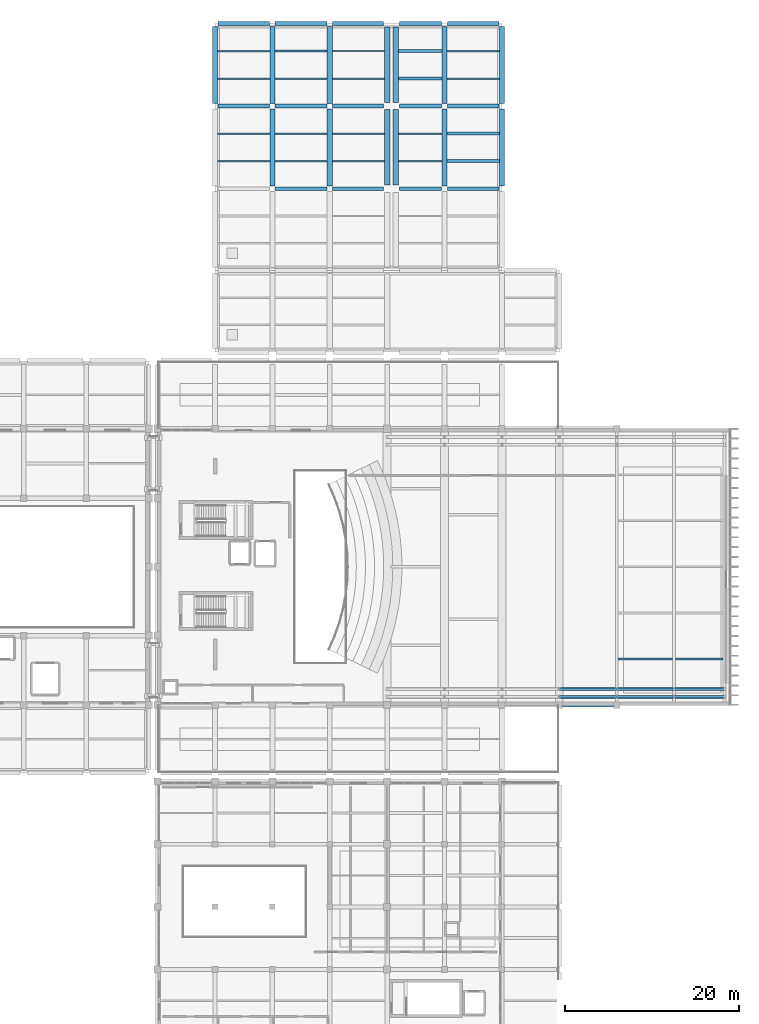
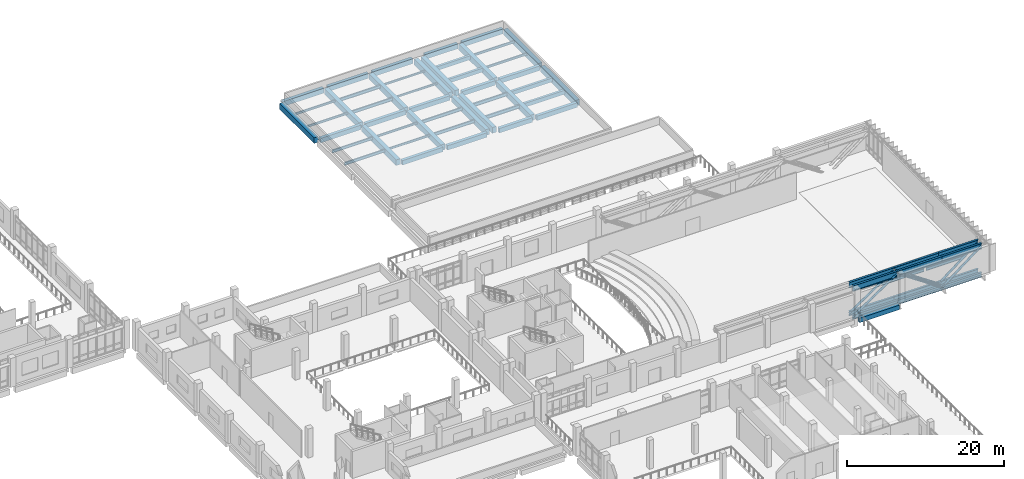
# One storey, part 22 of 54: 50 beams, 18 members.
"""IFC4 building model written with IfcOpenShell, lengths in metres."""

from ifc_helpers import new_model, si_unit, direction, frame, origin, origin_2d, place, context, subcontext, project, spatial, rectangle, hollow_circle, i_section, extrude, material, material_profile, profile_set, type_object, element, save


model = new_model("IFC4")

# Units and contexts
model_context = context("Model", 3, precision=1e-05, world=origin(), true_north=direction((0.0, 1.0)))
body_context = subcontext(model_context, "Body", "Model", "MODEL_VIEW")
ifc_project = project(units=[si_unit("LENGTHUNIT", "METRE"), si_unit("AREAUNIT", "SQUARE_METRE"), si_unit("VOLUMEUNIT", "CUBIC_METRE"), si_unit("PLANEANGLEUNIT", "RADIAN"), si_unit("MASSUNIT", "GRAM", prefix="KILO")], contexts=[model_context])

# Site, building, storey
site_placement = place(None, origin())
site = spatial("IfcSite", under=ifc_project, at=site_placement, CompositionType="ELEMENT")
building_placement = place(site_placement, origin())
building = spatial("IfcBuilding", under=site, at=building_placement, Name="Kelarvand Opera House", CompositionType="ELEMENT")
storey_placement = place(building_placement, frame((0.0, 0.0, 15.0)))
storey = spatial("IfcBuildingStorey", under=building, at=storey_placement, Name="L03", CompositionType="ELEMENT", Elevation=15.0)

# Beams
ifc_material_1 = material(Name="Concrete C35/45", Category="concrete")
ifc_material_profile_1 = material_profile(ifc_material_1, rectangle(XDim=0.35009765625, YDim=0.60009765625, at=origin_2d()), Name="RC 350x600", Category="concrete")
ifc_profile_set_1 = profile_set([ifc_material_profile_1], Name="Concrete C35/45")
beam_type_1 = type_object("IfcBeamType", Name="Structural Beam RC 350x600 BM-RC350x600", PredefinedType="BEAM", material=ifc_profile_set_1)
for number, where, z_axis, x_axis, name in (
    (1, (116.699951171875, 118.666748046875, -0.52001953125), (1.0, 0.0, 0.0), (0.0, 1.0, 0.0), "V5 L03 Beam BM-RC350x600"),
    (2, (116.699951171875, 121.833251953125, -0.52001953125), (1.0, 0.0, 0.0), (0.0, 1.0, 0.0), "V5 L03 Beam BM-RC350x600"),
):
    element("IfcBeam", number, at=place(storey_placement, frame(where, z_axis=z_axis, x_axis=x_axis)), inside=storey, type_object=beam_type_1, Name=name, PredefinedType="BEAM", context=body_context, shape_type="SweptSolid", body=[
        extrude(rectangle(XDim=0.35009765625, YDim=0.60009765625, at=origin_2d()), origin(), (0.0, 0.0, 1.0), 5.0),
    ])
for number, where, z_axis, x_axis, name in (
    (3, (122.300048828125, 109.166748046875, -0.52001953125), (1.0, 0.0, 0.0), (0.0, 1.0, 0.0), "V5 L03 Beam BM-RC350x600"),
    (4, (122.300048828125, 112.333251953125, -0.52001953125), (1.0, 0.0, 0.0), (0.0, 1.0, 0.0), "V5 L03 Beam BM-RC350x600"),
):
    element("IfcBeam", number, at=place(storey_placement, frame(where, z_axis=z_axis, x_axis=x_axis)), inside=storey, type_object=beam_type_1, Name=name, PredefinedType="BEAM", context=body_context, shape_type="SweptSolid", body=[
        extrude(rectangle(XDim=0.35009765625, YDim=0.60009765625, at=origin_2d()), origin(), (0.0, 0.0, 1.0), 6.0),
    ])
ifc_material_2 = material(Name="Concrete C40/50", Category="concrete")
ifc_material_profile_2 = material_profile(ifc_material_2, rectangle(XDim=0.449951171875, YDim=0.699951171875, at=origin_2d()), Name="RC 450x700", Category="concrete")
ifc_profile_set_2 = profile_set([ifc_material_profile_2], Name="Concrete C40/50")
beam_type_2 = type_object("IfcBeamType", Name="Structural Beam RC 450x700 BM-RC450x700", PredefinedType="BEAM", material=ifc_profile_set_2)
beam_1_placement = place(storey_placement, frame((135.574951171875, 46.60009765625, -0.669921875), z_axis=(1.0, 0.0, 0.0), x_axis=(0.0, 1.0, 0.0)))
element("IfcBeam", 5, at=beam_1_placement, inside=storey, type_object=beam_type_2, Name="V1 L03 Beam BM-RC450x700", PredefinedType="BEAM", context=body_context, shape_type="SweptSolid", body=[
    extrude(rectangle(XDim=0.449951171875, YDim=0.699951171875, at=origin_2d()), origin(), (0.0, 0.0, 1.0), 5.85009765625),
])
beam_2_placement = place(storey_placement, frame((102.52490234375, 106.0, -0.570068359375), z_axis=(1.0, 0.0, 0.0), x_axis=(0.0, 1.0, 0.0)))
element("IfcBeam", 6, at=beam_2_placement, inside=storey, type_object=beam_type_2, Name="V5 L03 Beam BM-RC450x700", PredefinedType="BEAM", context=body_context, shape_type="SweptSolid", body=[
    extrude(rectangle(XDim=0.449951171875, YDim=0.699951171875, at=origin_2d()), origin(), (0.0, 0.0, 1.0), 5.9501953125),
])
beam_3_placement = place(storey_placement, frame((109.125, 106.0, -0.570068359375), z_axis=(1.0, 0.0, 0.0), x_axis=(0.0, 1.0, 0.0)))
element("IfcBeam", 7, at=beam_3_placement, inside=storey, type_object=beam_type_2, Name="V5 L03 Beam BM-RC450x700", PredefinedType="BEAM", context=body_context, shape_type="SweptSolid", body=[
    extrude(rectangle(XDim=0.449951171875, YDim=0.699951171875, at=origin_2d()), origin(), (0.0, 0.0, 1.0), 5.864990234375),
])
beam_4_placement = place(storey_placement, frame((116.81005859375, 106.0, -0.570068359375), z_axis=(1.0, 0.0, 0.0), x_axis=(0.0, 1.0, 0.0)))
element("IfcBeam", 8, at=beam_4_placement, inside=storey, type_object=beam_type_2, Name="V5 L03 Beam BM-RC450x700", PredefinedType="BEAM", context=body_context, shape_type="SweptSolid", body=[
    extrude(rectangle(XDim=0.449951171875, YDim=0.699951171875, at=origin_2d()), origin(), (0.0, 0.0, 1.0), 4.864990234375),
])
for number, where, z_axis, x_axis, name in (
    (9, (122.324951171875, 106.0, -0.570068359375), (1.0, 0.0, 0.0), (0.0, 1.0, 0.0), "V5 L03 Beam BM-RC450x700"),
    (10, (95.925048828125, 115.5, -0.570068359375), (1.0, 0.0, 0.0), (0.0, 1.0, 0.0), "V5 L03 Beam BM-RC450x700"),
):
    element("IfcBeam", number, at=place(storey_placement, frame(where, z_axis=z_axis, x_axis=x_axis)), inside=storey, type_object=beam_type_2, Name=name, PredefinedType="BEAM", context=body_context, shape_type="SweptSolid", body=[
        extrude(rectangle(XDim=0.449951171875, YDim=0.699951171875, at=origin_2d()), origin(), (0.0, 0.0, 1.0), 5.949951171875),
    ])
beam_5_placement = place(storey_placement, frame((102.52490234375, 115.5, -0.570068359375), z_axis=(1.0, 0.0, 0.0), x_axis=(0.0, 1.0, 0.0)))
element("IfcBeam", 11, at=beam_5_placement, inside=storey, type_object=beam_type_2, Name="V5 L03 Beam BM-RC450x700", PredefinedType="BEAM", context=body_context, shape_type="SweptSolid", body=[
    extrude(rectangle(XDim=0.449951171875, YDim=0.699951171875, at=origin_2d()), origin(), (0.0, 0.0, 1.0), 5.9501953125),
])
beam_6_placement = place(storey_placement, frame((109.125, 115.5, -0.570068359375), z_axis=(1.0, 0.0, 0.0), x_axis=(0.0, 1.0, 0.0)))
element("IfcBeam", 12, at=beam_6_placement, inside=storey, type_object=beam_type_2, Name="V5 L03 Beam BM-RC450x700", PredefinedType="BEAM", context=body_context, shape_type="SweptSolid", body=[
    extrude(rectangle(XDim=0.449951171875, YDim=0.699951171875, at=origin_2d()), origin(), (0.0, 0.0, 1.0), 5.864990234375),
])
beam_7_placement = place(storey_placement, frame((116.81005859375, 115.5, -0.570068359375), z_axis=(1.0, 0.0, 0.0), x_axis=(0.0, 1.0, 0.0)))
element("IfcBeam", 13, at=beam_7_placement, inside=storey, type_object=beam_type_2, Name="V5 L03 Beam BM-RC450x700", PredefinedType="BEAM", context=body_context, shape_type="SweptSolid", body=[
    extrude(rectangle(XDim=0.449951171875, YDim=0.699951171875, at=origin_2d()), origin(), (0.0, 0.0, 1.0), 4.864990234375),
])
beam_8_placement = place(storey_placement, frame((122.324951171875, 115.5, -0.570068359375), z_axis=(1.0, 0.0, 0.0), x_axis=(0.0, 1.0, 0.0)))
element("IfcBeam", 14, at=beam_8_placement, inside=storey, type_object=beam_type_2, Name="V5 L03 Beam BM-RC450x700", PredefinedType="BEAM", context=body_context, shape_type="SweptSolid", body=[
    extrude(rectangle(XDim=0.449951171875, YDim=0.699951171875, at=origin_2d()), origin(), (0.0, 0.0, 1.0), 5.949951171875),
])
ifc_material_profile_3 = material_profile(ifc_material_2, rectangle(XDim=0.60009765625, YDim=0.89990234375, at=origin_2d()), Name="RC 600x900", Category="concrete")
ifc_profile_set_3 = profile_set([ifc_material_profile_3], Name="Concrete C40/50")
beam_type_3 = type_object("IfcBeamType", Name="Structural Beam RC 600x900 BM-RC600x900", PredefinedType="BEAM", material=ifc_profile_set_3)
for number, where, z_axis, x_axis, name in (
    (15, (102.199951171875, 106.324951171875, -0.669921875), (0.0, 1.0, 0.0), (-1.0, 0.0, 0.0), "V5 L03 Beam BM-RC600x900"),
    (16, (102.199951171875, 115.824951171875, -0.669921875), (0.0, 1.0, 0.0), (-1.0, 0.0, 0.0), "V5 L03 Beam BM-RC600x900"),
    (17, (108.800048828125, 106.324951171875, -0.669921875), (0.0, 1.0, 0.0), (-1.0, 0.0, 0.0), "V5 L03 Beam BM-RC600x900"),
    (18, (108.800048828125, 115.824951171875, -0.669921875), (0.0, 1.0, 0.0), (-1.0, 0.0, 0.0), "V5 L03 Beam BM-RC600x900"),
):
    element("IfcBeam", number, at=place(storey_placement, frame(where, z_axis=z_axis, x_axis=x_axis)), inside=storey, type_object=beam_type_3, Name=name, PredefinedType="BEAM", context=body_context, shape_type="SweptSolid", body=[
        extrude(rectangle(XDim=0.60009765625, YDim=0.89990234375, at=origin_2d()), origin(), (0.0, 0.0, 1.0), 8.85009765625),
    ])
for number, where, z_axis, x_axis, name in (
    (19, (115.39990234375, 106.409912109375, -0.669921875), (0.0, 1.0, 0.0), (-1.0, 0.0, 0.0), "V5 L03 Beam BM-RC600x900"),
    (20, (115.39990234375, 115.909912109375, -0.669921875), (0.0, 1.0, 0.0), (-1.0, 0.0, 0.0), "V5 L03 Beam BM-RC600x900"),
    (21, (116.39990234375, 106.409912109375, -0.669921875), (0.0, 1.0, 0.0), (-1.0, 0.0, 0.0), "V5 L03 Beam BM-RC600x900"),
    (22, (116.39990234375, 115.909912109375, -0.669921875), (0.0, 1.0, 0.0), (-1.0, 0.0, 0.0), "V5 L03 Beam BM-RC600x900"),
):
    element("IfcBeam", number, at=place(storey_placement, frame(where, z_axis=z_axis, x_axis=x_axis)), inside=storey, type_object=beam_type_3, Name=name, PredefinedType="BEAM", context=body_context, shape_type="SweptSolid", body=[
        extrude(rectangle(XDim=0.60009765625, YDim=0.89990234375, at=origin_2d()), origin(), (0.0, 0.0, 1.0), 8.68017578125),
    ])
for number, where, z_axis, x_axis, name in (
    (23, (122.0, 106.324951171875, -0.669921875), (0.0, 1.0, 0.0), (-1.0, 0.0, 0.0), "V5 L03 Beam BM-RC600x900"),
    (24, (122.0, 115.824951171875, -0.669921875), (0.0, 1.0, 0.0), (-1.0, 0.0, 0.0), "V5 L03 Beam BM-RC600x900"),
    (25, (128.60009765625, 106.324951171875, -0.669921875), (0.0, 1.0, 0.0), (-1.0, 0.0, 0.0), "V5 L03 Beam BM-RC600x900"),
    (26, (128.60009765625, 115.824951171875, -0.669921875), (0.0, 1.0, 0.0), (-1.0, 0.0, 0.0), "V5 L03 Beam BM-RC600x900"),
):
    element("IfcBeam", number, at=place(storey_placement, frame(where, z_axis=z_axis, x_axis=x_axis)), inside=storey, type_object=beam_type_3, Name=name, PredefinedType="BEAM", context=body_context, shape_type="SweptSolid", body=[
        extrude(rectangle(XDim=0.60009765625, YDim=0.89990234375, at=origin_2d()), origin(), (0.0, 0.0, 1.0), 8.85009765625),
    ])

# Members
ifc_material_3 = material(Name="Steel S355", Category="steel")
ifc_material_profile_4 = material_profile(ifc_material_3, hollow_circle(Radius=0.161865234375, WallThickness=0.01611328125, at=origin_2d()), Name="CHS 323.9x16.0", Category="steel")
ifc_profile_set_4 = profile_set([ifc_material_profile_4], Name="Steel S355")
member_type_1 = type_object("IfcMemberType", Name="Structural Brace CHS 323.9x16.0 BR-CHS324", PredefinedType="BRACE", material=ifc_profile_set_4)
member_1_placement = place(storey_placement, frame((135.199951171875, 47.550048828125, -0.669921875), z_axis=(0.829729346585, 0.0, 0.558165935377), x_axis=(0.0, 1.0, 0.0)))
element("IfcMember", 27, at=member_1_placement, inside=storey, type_object=member_type_1, Name="Cantilever Truss CT1 Upper Diagonal 4", PredefinedType="BRACE", context=body_context, shape_type="SweptSolid", body=[
    extrude(hollow_circle(Radius=0.161865234375, WallThickness=0.01611328125, at=origin_2d()), origin(), (0.0, 0.0, 1.0), 7.95458984375),
])
member_2_placement = place(storey_placement, frame((141.800048828125, 47.550048828125, 3.77001953125), z_axis=(0.82971978413, 0.0, -0.558180149972), x_axis=(0.0, 1.0, 0.0)))
element("IfcMember", 28, at=member_2_placement, inside=storey, type_object=member_type_1, Name="Cantilever Truss CT1 Upper Diagonal 5", PredefinedType="BRACE", context=body_context, shape_type="SweptSolid", body=[
    extrude(hollow_circle(Radius=0.161865234375, WallThickness=0.01611328125, at=origin_2d()), origin(), (0.0, 0.0, 1.0), 7.954345703125),
])
member_3_placement = place(storey_placement, frame((148.39990234375, 47.550048828125, -0.669921875), z_axis=(0.79405319556, 0.0, 0.607848272697), x_axis=(0.0, 1.0, 0.0)))
element("IfcMember", 29, at=member_3_placement, inside=storey, type_object=member_type_1, Name="Cantilever Truss CT1 Upper Diagonal 6", PredefinedType="BRACE", context=body_context, shape_type="SweptSolid", body=[
    extrude(hollow_circle(Radius=0.161865234375, WallThickness=0.01611328125, at=origin_2d()), origin(), (0.0, 0.0, 1.0), 7.304443359375),
])
member_4_placement = place(storey_placement, frame((135.199951171875, 48.449951171875, -0.669921875), z_axis=(0.829729346585, 0.0, 0.558165935377), x_axis=(0.0, 1.0, 0.0)))
element("IfcMember", 30, at=member_4_placement, inside=storey, type_object=member_type_1, Name="Cantilever Truss CT2 Upper Diagonal 4", PredefinedType="BRACE", context=body_context, shape_type="SweptSolid", body=[
    extrude(hollow_circle(Radius=0.161865234375, WallThickness=0.01611328125, at=origin_2d()), origin(), (0.0, 0.0, 1.0), 7.95458984375),
])
member_5_placement = place(storey_placement, frame((141.800048828125, 48.449951171875, 3.77001953125), z_axis=(0.82971978413, 0.0, -0.558180149972), x_axis=(0.0, 1.0, 0.0)))
element("IfcMember", 31, at=member_5_placement, inside=storey, type_object=member_type_1, Name="Cantilever Truss CT2 Upper Diagonal 5", PredefinedType="BRACE", context=body_context, shape_type="SweptSolid", body=[
    extrude(hollow_circle(Radius=0.161865234375, WallThickness=0.01611328125, at=origin_2d()), origin(), (0.0, 0.0, 1.0), 7.954345703125),
])
member_6_placement = place(storey_placement, frame((148.39990234375, 48.449951171875, -0.669921875), z_axis=(0.79405319556, 0.0, 0.607848272697), x_axis=(0.0, 1.0, 0.0)))
element("IfcMember", 32, at=member_6_placement, inside=storey, type_object=member_type_1, Name="Cantilever Truss CT2 Upper Diagonal 6", PredefinedType="BRACE", context=body_context, shape_type="SweptSolid", body=[
    extrude(hollow_circle(Radius=0.161865234375, WallThickness=0.01611328125, at=origin_2d()), origin(), (0.0, 0.0, 1.0), 7.304443359375),
])
ifc_material_profile_5 = material_profile(ifc_material_3, i_section(OverallWidth=0.300048828125, OverallDepth=0.699951171875, WebThickness=0.01708984375, FlangeThickness=0.031982421875, at=origin_2d()), Name="HEB 700", Category="steel")
ifc_profile_set_5 = profile_set([ifc_material_profile_5], Name="Steel S355")
member_type_2 = type_object("IfcMemberType", Name="Structural Chord HEB 700 CH-HEB700", PredefinedType="CHORD", material=ifc_profile_set_5)
member_7_placement = place(storey_placement, frame((135.199951171875, 47.550048828125, -0.669921875), z_axis=(1.0, 0.0, 0.0), x_axis=(0.0, 1.0, 0.0)))
element("IfcMember", 33, at=member_7_placement, inside=storey, type_object=member_type_2, Name="Cantilever Truss CT1 Tie Chord 4", PredefinedType="CHORD", context=body_context, shape_type="SweptSolid", body=[
    extrude(i_section(OverallWidth=0.300048828125, OverallDepth=0.699951171875, WebThickness=0.01708984375, FlangeThickness=0.031982421875, at=origin_2d()), origin(), (0.0, 0.0, 1.0), 6.60009765625),
])
member_8_placement = place(storey_placement, frame((141.800048828125, 47.550048828125, -0.669921875), z_axis=(1.0, 0.0, 0.0), x_axis=(0.0, 1.0, 0.0)))
element("IfcMember", 34, at=member_8_placement, inside=storey, type_object=member_type_2, Name="Cantilever Truss CT1 Tie Chord 5", PredefinedType="CHORD", context=body_context, shape_type="SweptSolid", body=[
    extrude(i_section(OverallWidth=0.300048828125, OverallDepth=0.699951171875, WebThickness=0.01708984375, FlangeThickness=0.031982421875, at=origin_2d()), origin(), (0.0, 0.0, 1.0), 6.599853515625),
])
member_9_placement = place(storey_placement, frame((148.39990234375, 47.550048828125, -0.669921875), z_axis=(1.0, 0.0, 0.0), x_axis=(0.0, 1.0, 0.0)))
element("IfcMember", 35, at=member_9_placement, inside=storey, type_object=member_type_2, Name="Cantilever Truss CT1 Tie Chord 6", PredefinedType="CHORD", context=body_context, shape_type="SweptSolid", body=[
    extrude(i_section(OverallWidth=0.300048828125, OverallDepth=0.699951171875, WebThickness=0.01708984375, FlangeThickness=0.031982421875, at=origin_2d()), origin(), (0.0, 0.0, 1.0), 5.800048828125),
])
member_10_placement = place(storey_placement, frame((135.199951171875, 48.449951171875, -0.669921875), z_axis=(1.0, 0.0, 0.0), x_axis=(0.0, 1.0, 0.0)))
element("IfcMember", 36, at=member_10_placement, inside=storey, type_object=member_type_2, Name="Cantilever Truss CT2 Tie Chord 4", PredefinedType="CHORD", context=body_context, shape_type="SweptSolid", body=[
    extrude(i_section(OverallWidth=0.300048828125, OverallDepth=0.699951171875, WebThickness=0.01708984375, FlangeThickness=0.031982421875, at=origin_2d()), origin(), (0.0, 0.0, 1.0), 6.60009765625),
])
member_11_placement = place(storey_placement, frame((141.800048828125, 48.449951171875, -0.669921875), z_axis=(1.0, 0.0, 0.0), x_axis=(0.0, 1.0, 0.0)))
element("IfcMember", 37, at=member_11_placement, inside=storey, type_object=member_type_2, Name="Cantilever Truss CT2 Tie Chord 5", PredefinedType="CHORD", context=body_context, shape_type="SweptSolid", body=[
    extrude(i_section(OverallWidth=0.300048828125, OverallDepth=0.699951171875, WebThickness=0.01708984375, FlangeThickness=0.031982421875, at=origin_2d()), origin(), (0.0, 0.0, 1.0), 6.599853515625),
])
member_12_placement = place(storey_placement, frame((148.39990234375, 48.449951171875, -0.669921875), z_axis=(1.0, 0.0, 0.0), x_axis=(0.0, 1.0, 0.0)))
element("IfcMember", 38, at=member_12_placement, inside=storey, type_object=member_type_2, Name="Cantilever Truss CT2 Tie Chord 6", PredefinedType="CHORD", context=body_context, shape_type="SweptSolid", body=[
    extrude(i_section(OverallWidth=0.300048828125, OverallDepth=0.699951171875, WebThickness=0.01708984375, FlangeThickness=0.031982421875, at=origin_2d()), origin(), (0.0, 0.0, 1.0), 5.800048828125),
])
ifc_material_profile_6 = material_profile(ifc_material_3, i_section(OverallWidth=0.300048828125, OverallDepth=0.89990234375, WebThickness=0.0185546875, FlangeThickness=0.034912109375, at=origin_2d()), Name="HEB 900", Category="steel")
ifc_profile_set_6 = profile_set([ifc_material_profile_6], Name="Steel S355")
member_type_3 = type_object("IfcMemberType", Name="Structural Chord HEB 900 CH-HEB900", PredefinedType="CHORD", material=ifc_profile_set_6)
member_13_placement = place(storey_placement, frame((135.199951171875, 47.550048828125, 3.77001953125), z_axis=(1.0, 0.0, 0.0), x_axis=(0.0, 1.0, 0.0)))
element("IfcMember", 39, at=member_13_placement, inside=storey, type_object=member_type_3, Name="Cantilever Truss CT1 Top Chord 4", PredefinedType="CHORD", context=body_context, shape_type="SweptSolid", body=[
    extrude(i_section(OverallWidth=0.300048828125, OverallDepth=0.89990234375, WebThickness=0.0185546875, FlangeThickness=0.034912109375, at=origin_2d()), origin(), (0.0, 0.0, 1.0), 6.60009765625),
])
member_14_placement = place(storey_placement, frame((141.800048828125, 47.550048828125, 3.77001953125), z_axis=(1.0, 0.0, 0.0), x_axis=(0.0, 1.0, 0.0)))
element("IfcMember", 40, at=member_14_placement, inside=storey, type_object=member_type_3, Name="Cantilever Truss CT1 Top Chord 5", PredefinedType="CHORD", context=body_context, shape_type="SweptSolid", body=[
    extrude(i_section(OverallWidth=0.300048828125, OverallDepth=0.89990234375, WebThickness=0.0185546875, FlangeThickness=0.034912109375, at=origin_2d()), origin(), (0.0, 0.0, 1.0), 6.599853515625),
])
member_15_placement = place(storey_placement, frame((148.39990234375, 47.550048828125, 3.77001953125), z_axis=(1.0, 0.0, 0.0), x_axis=(0.0, 1.0, 0.0)))
element("IfcMember", 41, at=member_15_placement, inside=storey, type_object=member_type_3, Name="Cantilever Truss CT1 Top Chord 6", PredefinedType="CHORD", context=body_context, shape_type="SweptSolid", body=[
    extrude(i_section(OverallWidth=0.300048828125, OverallDepth=0.89990234375, WebThickness=0.0185546875, FlangeThickness=0.034912109375, at=origin_2d()), origin(), (0.0, 0.0, 1.0), 5.800048828125),
])
member_16_placement = place(storey_placement, frame((135.199951171875, 48.449951171875, 3.77001953125), z_axis=(1.0, 0.0, 0.0), x_axis=(0.0, 1.0, 0.0)))
element("IfcMember", 42, at=member_16_placement, inside=storey, type_object=member_type_3, Name="Cantilever Truss CT2 Top Chord 4", PredefinedType="CHORD", context=body_context, shape_type="SweptSolid", body=[
    extrude(i_section(OverallWidth=0.300048828125, OverallDepth=0.89990234375, WebThickness=0.0185546875, FlangeThickness=0.034912109375, at=origin_2d()), origin(), (0.0, 0.0, 1.0), 6.60009765625),
])
member_17_placement = place(storey_placement, frame((141.800048828125, 48.449951171875, 3.77001953125), z_axis=(1.0, 0.0, 0.0), x_axis=(0.0, 1.0, 0.0)))
element("IfcMember", 43, at=member_17_placement, inside=storey, type_object=member_type_3, Name="Cantilever Truss CT2 Top Chord 5", PredefinedType="CHORD", context=body_context, shape_type="SweptSolid", body=[
    extrude(i_section(OverallWidth=0.300048828125, OverallDepth=0.89990234375, WebThickness=0.0185546875, FlangeThickness=0.034912109375, at=origin_2d()), origin(), (0.0, 0.0, 1.0), 6.599853515625),
])
member_18_placement = place(storey_placement, frame((148.39990234375, 48.449951171875, 3.77001953125), z_axis=(1.0, 0.0, 0.0), x_axis=(0.0, 1.0, 0.0)))
element("IfcMember", 44, at=member_18_placement, inside=storey, type_object=member_type_3, Name="Cantilever Truss CT2 Top Chord 6", PredefinedType="CHORD", context=body_context, shape_type="SweptSolid", body=[
    extrude(i_section(OverallWidth=0.300048828125, OverallDepth=0.89990234375, WebThickness=0.0185546875, FlangeThickness=0.034912109375, at=origin_2d()), origin(), (0.0, 0.0, 1.0), 5.800048828125),
])

# Beams
ifc_material_profile_7 = material_profile(ifc_material_3, i_section(OverallWidth=0.14990234375, OverallDepth=0.300048828125, WebThickness=0.007080078125, FlangeThickness=0.0107421875, at=origin_2d()), Name="IPE 300", Category="steel")
ifc_profile_set_7 = profile_set([ifc_material_profile_7], Name="Steel S355")
beam_type_4 = type_object("IfcBeamType", Name="Structural Joist IPE 300 JS-IPE300", PredefinedType="JOIST", material=ifc_profile_set_7)
for number, where, z_axis, x_axis, name in (
    (45, (109.10009765625, 118.666748046875, -0.3701171875), (1.0, 0.0, 0.0), (0.0, 1.0, 0.0), "V5 L03 Beam JS-IPE300"),
    (46, (109.10009765625, 121.833251953125, -0.3701171875), (1.0, 0.0, 0.0), (0.0, 1.0, 0.0), "V5 L03 Beam JS-IPE300"),
):
    element("IfcBeam", number, at=place(storey_placement, frame(where, z_axis=z_axis, x_axis=x_axis)), inside=storey, type_object=beam_type_4, Name=name, PredefinedType="JOIST", context=body_context, shape_type="SweptSolid", body=[
        extrude(i_section(OverallWidth=0.14990234375, OverallDepth=0.300048828125, WebThickness=0.007080078125, FlangeThickness=0.0107421875, at=origin_2d()), origin(), (0.0, 0.0, 1.0), 6.0),
    ])
ifc_material_profile_8 = material_profile(ifc_material_3, i_section(OverallWidth=0.159912109375, OverallDepth=0.330078125, WebThickness=0.007568359375, FlangeThickness=0.011474609375, at=origin_2d()), Name="IPE 330", Category="steel")
ifc_profile_set_8 = profile_set([ifc_material_profile_8], Name="Steel S355")
beam_type_5 = type_object("IfcBeamType", Name="Structural Joist IPE 330 JS-IPE330", PredefinedType="JOIST", material=ifc_profile_set_8)
for number, where, z_axis, x_axis, name in (
    (47, (95.89990234375, 118.666748046875, -0.385009765625), (1.0, 0.0, 0.0), (0.0, 1.0, 0.0), "V5 L03 Beam JS-IPE330"),
    (48, (95.89990234375, 121.833251953125, -0.385009765625), (1.0, 0.0, 0.0), (0.0, 1.0, 0.0), "V5 L03 Beam JS-IPE330"),
    (49, (102.5, 109.166748046875, -0.385009765625), (1.0, 0.0, 0.0), (0.0, 1.0, 0.0), "V5 L03 Beam JS-IPE330"),
    (50, (102.5, 112.333251953125, -0.385009765625), (1.0, 0.0, 0.0), (0.0, 1.0, 0.0), "V5 L03 Beam JS-IPE330"),
):
    element("IfcBeam", number, at=place(storey_placement, frame(where, z_axis=z_axis, x_axis=x_axis)), inside=storey, type_object=beam_type_5, Name=name, PredefinedType="JOIST", context=body_context, shape_type="SweptSolid", body=[
        extrude(i_section(OverallWidth=0.159912109375, OverallDepth=0.330078125, WebThickness=0.007568359375, FlangeThickness=0.011474609375, at=origin_2d()), origin(), (0.0, 0.0, 1.0), 6.0),
    ])
ifc_material_profile_9 = material_profile(ifc_material_3, i_section(OverallWidth=0.169921875, OverallDepth=0.360107421875, WebThickness=0.008056640625, FlangeThickness=0.0126953125, at=origin_2d()), Name="IPE 360", Category="steel")
ifc_profile_set_9 = profile_set([ifc_material_profile_9], Name="Steel S355")
beam_type_6 = type_object("IfcBeamType", Name="Structural Joist IPE 360 JS-IPE360", PredefinedType="JOIST", material=ifc_profile_set_9)
for number, where, z_axis, x_axis, name in (
    (51, (122.300048828125, 118.666748046875, -0.39990234375), (1.0, 0.0, 0.0), (0.0, 1.0, 0.0), "V5 L03 Beam JS-IPE360"),
    (52, (122.300048828125, 121.833251953125, -0.39990234375), (1.0, 0.0, 0.0), (0.0, 1.0, 0.0), "V5 L03 Beam JS-IPE360"),
):
    element("IfcBeam", number, at=place(storey_placement, frame(where, z_axis=z_axis, x_axis=x_axis)), inside=storey, type_object=beam_type_6, Name=name, PredefinedType="JOIST", context=body_context, shape_type="SweptSolid", body=[
        extrude(i_section(OverallWidth=0.169921875, OverallDepth=0.360107421875, WebThickness=0.008056640625, FlangeThickness=0.0126953125, at=origin_2d()), origin(), (0.0, 0.0, 1.0), 6.0),
    ])
ifc_material_profile_10 = material_profile(ifc_material_3, i_section(OverallWidth=0.18994140625, OverallDepth=0.449951171875, WebThickness=0.009521484375, FlangeThickness=0.0146484375, at=origin_2d()), Name="IPE 450", Category="steel")
ifc_profile_set_10 = profile_set([ifc_material_profile_10], Name="Steel S355")
beam_type_7 = type_object("IfcBeamType", Name="Structural Joist IPE 450 JS-IPE450", PredefinedType="JOIST", material=ifc_profile_set_10)
for number, where, z_axis, x_axis, name in (
    (53, (95.89990234375, 109.166748046875, -0.445068359375), (1.0, 0.0, 0.0), (0.0, 1.0, 0.0), "V5 L03 Beam JS-IPE450"),
    (54, (95.89990234375, 112.333251953125, -0.445068359375), (1.0, 0.0, 0.0), (0.0, 1.0, 0.0), "V5 L03 Beam JS-IPE450"),
):
    element("IfcBeam", number, at=place(storey_placement, frame(where, z_axis=z_axis, x_axis=x_axis)), inside=storey, type_object=beam_type_7, Name=name, PredefinedType="JOIST", context=body_context, shape_type="SweptSolid", body=[
        extrude(i_section(OverallWidth=0.18994140625, OverallDepth=0.449951171875, WebThickness=0.009521484375, FlangeThickness=0.0146484375, at=origin_2d()), origin(), (0.0, 0.0, 1.0), 6.0),
    ])
beam_9_placement = place(storey_placement, frame((141.9599609375, 51.89990234375, -0.544921875), z_axis=(1.0, 0.0, 0.0), x_axis=(0.0, 1.0, 0.0)))
element("IfcBeam", 55, at=beam_9_placement, inside=storey, type_object=beam_type_7, Name="V1 L03 Beam JS-IPE450", PredefinedType="JOIST", context=body_context, shape_type="SweptSolid", body=[
    extrude(i_section(OverallWidth=0.18994140625, OverallDepth=0.449951171875, WebThickness=0.009521484375, FlangeThickness=0.0146484375, at=origin_2d()), origin(), (0.0, 0.0, 1.0), 6.280029296875),
])
beam_10_placement = place(storey_placement, frame((148.56005859375, 51.89990234375, -0.544921875), z_axis=(1.0, 0.0, 0.0), x_axis=(0.0, 1.0, 0.0)))
element("IfcBeam", 56, at=beam_10_placement, inside=storey, type_object=beam_type_7, Name="V1 L03 Beam JS-IPE450", PredefinedType="JOIST", context=body_context, shape_type="SweptSolid", body=[
    extrude(i_section(OverallWidth=0.18994140625, OverallDepth=0.449951171875, WebThickness=0.009521484375, FlangeThickness=0.0146484375, at=origin_2d()), origin(), (0.0, 0.0, 1.0), 5.47998046875),
])
ifc_material_profile_11 = material_profile(ifc_material_3, i_section(OverallWidth=0.199951171875, OverallDepth=0.5, WebThickness=0.01025390625, FlangeThickness=0.01611328125, at=origin_2d()), Name="IPE 500", Category="steel")
ifc_profile_set_11 = profile_set([ifc_material_profile_11], Name="Steel S355")
beam_type_8 = type_object("IfcBeamType", Name="Structural Joist IPE 500 JS-IPE500", PredefinedType="JOIST", material=ifc_profile_set_11)
for number, where, z_axis, x_axis, name in (
    (57, (102.5, 118.666748046875, -0.469970703125), (1.0, 0.0, 0.0), (0.0, 1.0, 0.0), "V5 L03 Beam JS-IPE500"),
    (58, (102.5, 121.833251953125, -0.469970703125), (1.0, 0.0, 0.0), (0.0, 1.0, 0.0), "V5 L03 Beam JS-IPE500"),
    (59, (109.10009765625, 109.166748046875, -0.469970703125), (1.0, 0.0, 0.0), (0.0, 1.0, 0.0), "V5 L03 Beam JS-IPE500"),
    (60, (109.10009765625, 112.333251953125, -0.469970703125), (1.0, 0.0, 0.0), (0.0, 1.0, 0.0), "V5 L03 Beam JS-IPE500"),
):
    element("IfcBeam", number, at=place(storey_placement, frame(where, z_axis=z_axis, x_axis=x_axis)), inside=storey, type_object=beam_type_8, Name=name, PredefinedType="JOIST", context=body_context, shape_type="SweptSolid", body=[
        extrude(i_section(OverallWidth=0.199951171875, OverallDepth=0.5, WebThickness=0.01025390625, FlangeThickness=0.01611328125, at=origin_2d()), origin(), (0.0, 0.0, 1.0), 6.0),
    ])
ifc_material_profile_12 = material_profile(ifc_material_3, i_section(OverallWidth=0.2099609375, OverallDepth=0.550048828125, WebThickness=0.010986328125, FlangeThickness=0.01708984375, at=origin_2d()), Name="IPE 550", Category="steel")
ifc_profile_set_12 = profile_set([ifc_material_profile_12], Name="Steel S355")
beam_type_9 = type_object("IfcBeamType", Name="Structural Joist IPE 550 JS-IPE550", PredefinedType="JOIST", material=ifc_profile_set_12)
for number, where, z_axis, x_axis, name in (
    (61, (116.699951171875, 109.166748046875, -0.4951171875), (1.0, 0.0, 0.0), (0.0, 1.0, 0.0), "V5 L03 Beam JS-IPE550"),
    (62, (116.699951171875, 112.333251953125, -0.4951171875), (1.0, 0.0, 0.0), (0.0, 1.0, 0.0), "V5 L03 Beam JS-IPE550"),
):
    element("IfcBeam", number, at=place(storey_placement, frame(where, z_axis=z_axis, x_axis=x_axis)), inside=storey, type_object=beam_type_9, Name=name, PredefinedType="JOIST", context=body_context, shape_type="SweptSolid", body=[
        extrude(i_section(OverallWidth=0.2099609375, OverallDepth=0.550048828125, WebThickness=0.010986328125, FlangeThickness=0.01708984375, at=origin_2d()), origin(), (0.0, 0.0, 1.0), 5.0),
    ])
ifc_material_profile_13 = material_profile(ifc_material_2, rectangle(XDim=0.5, YDim=0.75, at=origin_2d()), Name="RC 500x750", Category="concrete")
ifc_profile_set_13 = profile_set([ifc_material_profile_13], Name="Concrete C40/50")
beam_type_10 = type_object("IfcBeamType", Name="Structural Spandrel RC 500x750 SP-RC500x750E", PredefinedType="SPANDREL", material=ifc_profile_set_13)
beam_11_placement = place(storey_placement, frame((95.925048828125, 125.0, -0.594970703125), z_axis=(1.0, 0.0, 0.0), x_axis=(0.0, 1.0, 0.0)))
element("IfcBeam", 63, at=beam_11_placement, inside=storey, type_object=beam_type_10, Name="V5 L03 Beam SP-RC500x750E", PredefinedType="SPANDREL", context=body_context, shape_type="SweptSolid", body=[
    extrude(rectangle(XDim=0.5, YDim=0.75, at=origin_2d()), origin(), (0.0, 0.0, 1.0), 5.949951171875),
])
beam_12_placement = place(storey_placement, frame((102.52490234375, 125.0, -0.594970703125), z_axis=(1.0, 0.0, 0.0), x_axis=(0.0, 1.0, 0.0)))
element("IfcBeam", 64, at=beam_12_placement, inside=storey, type_object=beam_type_10, Name="V5 L03 Beam SP-RC500x750E", PredefinedType="SPANDREL", context=body_context, shape_type="SweptSolid", body=[
    extrude(rectangle(XDim=0.5, YDim=0.75, at=origin_2d()), origin(), (0.0, 0.0, 1.0), 5.9501953125),
])
beam_13_placement = place(storey_placement, frame((109.125, 125.0, -0.594970703125), z_axis=(1.0, 0.0, 0.0), x_axis=(0.0, 1.0, 0.0)))
element("IfcBeam", 65, at=beam_13_placement, inside=storey, type_object=beam_type_10, Name="V5 L03 Beam SP-RC500x750E", PredefinedType="SPANDREL", context=body_context, shape_type="SweptSolid", body=[
    extrude(rectangle(XDim=0.5, YDim=0.75, at=origin_2d()), origin(), (0.0, 0.0, 1.0), 5.864990234375),
])
beam_14_placement = place(storey_placement, frame((116.81005859375, 125.0, -0.594970703125), z_axis=(1.0, 0.0, 0.0), x_axis=(0.0, 1.0, 0.0)))
element("IfcBeam", 66, at=beam_14_placement, inside=storey, type_object=beam_type_10, Name="V5 L03 Beam SP-RC500x750E", PredefinedType="SPANDREL", context=body_context, shape_type="SweptSolid", body=[
    extrude(rectangle(XDim=0.5, YDim=0.75, at=origin_2d()), origin(), (0.0, 0.0, 1.0), 4.864990234375),
])
beam_15_placement = place(storey_placement, frame((122.324951171875, 125.0, -0.594970703125), z_axis=(1.0, 0.0, 0.0), x_axis=(0.0, 1.0, 0.0)))
element("IfcBeam", 67, at=beam_15_placement, inside=storey, type_object=beam_type_10, Name="V5 L03 Beam SP-RC500x750E", PredefinedType="SPANDREL", context=body_context, shape_type="SweptSolid", body=[
    extrude(rectangle(XDim=0.5, YDim=0.75, at=origin_2d()), origin(), (0.0, 0.0, 1.0), 5.949951171875),
])
ifc_material_profile_14 = material_profile(ifc_material_2, rectangle(XDim=0.60009765625, YDim=0.89990234375, at=origin_2d()), Name="RC 600x900", Category="concrete")
ifc_profile_set_14 = profile_set([ifc_material_profile_14], Name="Concrete C40/50")
beam_type_11 = type_object("IfcBeamType", Name="Structural Spandrel RC 600x900 SP-RC600x900E", PredefinedType="SPANDREL", material=ifc_profile_set_14)
beam_16_placement = place(storey_placement, frame((95.60009765625, 115.824951171875, -0.669921875), z_axis=(0.0, 1.0, 0.0), x_axis=(-1.0, 0.0, 0.0)))
element("IfcBeam", 68, at=beam_16_placement, inside=storey, type_object=beam_type_11, Name="V5 L03 Beam SP-RC600x900E", PredefinedType="SPANDREL", context=body_context, shape_type="SweptSolid", body=[
    extrude(rectangle(XDim=0.60009765625, YDim=0.89990234375, at=origin_2d()), origin(), (0.0, 0.0, 1.0), 8.85009765625),
])

save(model, "model.ifc")
